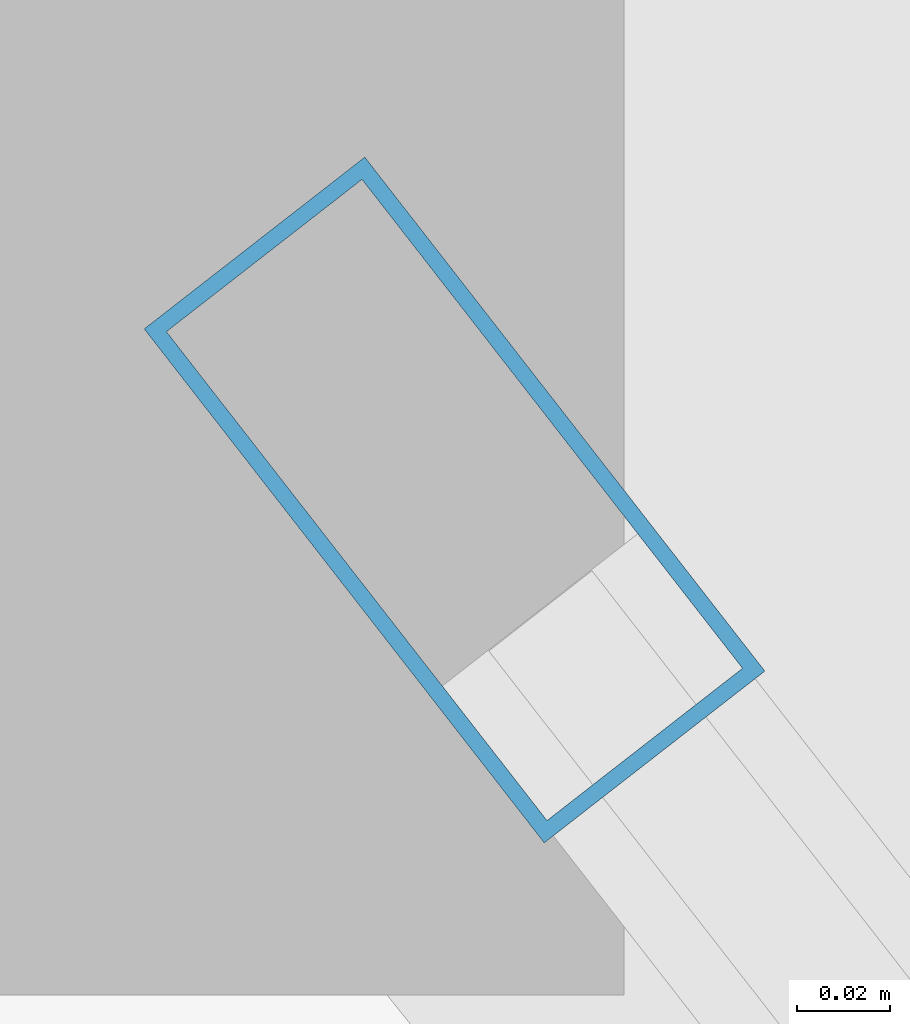
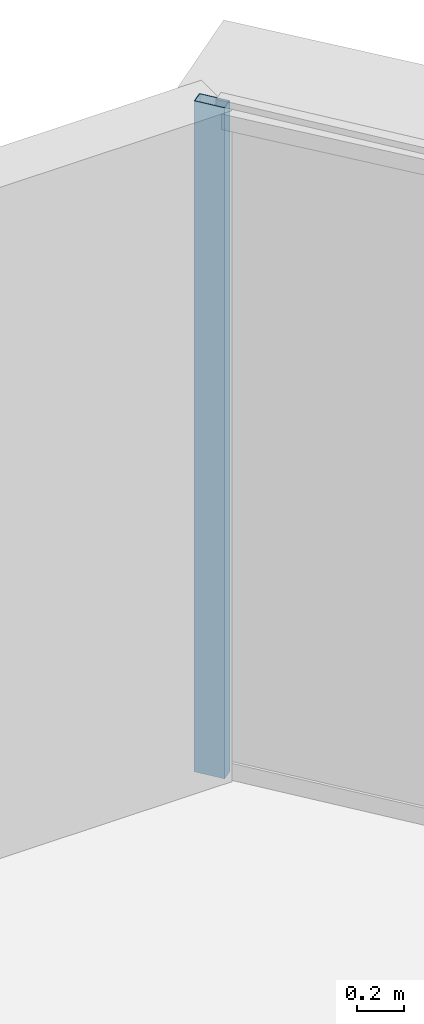
# One storey, part 28 of 40: 1 member, 1 element without a shape of its own.
"""IFC4 building model written with IfcOpenShell, lengths in metres."""

from ifc_helpers import new_model, si_unit, direction, frame, origin, origin_2d, place, context, subcontext, project, spatial, hollow_rectangle, extrude, source, transform, mapped, material, layer, layer_set, material_profile, profile_set, type_object, element, aggregate, save


model = new_model("IFC4")

# Units and contexts
model_context = context("Model", 3, precision=1e-05, world=origin(), true_north=direction((0.0, 1.0)))
body_context = subcontext(model_context, "Body", "Model", "MODEL_VIEW")
ifc_project = project(units=[si_unit("LENGTHUNIT", "METRE"), si_unit("AREAUNIT", "SQUARE_METRE"), si_unit("VOLUMEUNIT", "CUBIC_METRE"), si_unit("PLANEANGLEUNIT", "RADIAN"), si_unit("MASSUNIT", "GRAM", prefix="KILO"), si_unit("THERMODYNAMICTEMPERATUREUNIT", "KELVIN"), si_unit("POWERUNIT", "WATT")], contexts=[model_context])

# Site, building, storey
site_placement = place(None, origin())
site = spatial("IfcSite", under=ifc_project, at=site_placement, CompositionType="ELEMENT")
building_placement = place(site_placement, origin())
building = spatial("IfcBuilding", under=site, at=building_placement, Name="Yunzhuo Pagoda Commons", CompositionType="ELEMENT")
storey_placement = place(building_placement, frame((0.0, 0.0, 292.47998046875)))
storey = spatial("IfcBuildingStorey", under=building, at=storey_placement, Name="L73", CompositionType="ELEMENT", Elevation=292.47998046875)

# Curtain wall, member
ifc_material = material(Name="Anodized aluminium 6063-T6", Category="aluminium")
ifc_layer = layer(ifc_material, 0.139892578125)
ifc_layer_set = layer_set([ifc_layer], Name="Anodized aluminium 6063-T6")
curtain_wall_type = type_object("IfcCurtainWallType", Name="CW-HI High-Zone Ribbon Curtain Wall", PredefinedType="NOTDEFINED", material=ifc_layer_set)
curtain_wall_placement = place(storey_placement, origin())
curtain_wall = element("IfcCurtainWall", 1, at=curtain_wall_placement, inside=storey, type_object=curtain_wall_type, Name="L73 curtain wall CW-L73-F2B5", PredefinedType="NOTDEFINED")
ifc_material_profile = material_profile(ifc_material, hollow_rectangle(XDim=0.06005859375, YDim=0.139892578125, WallThickness=0.00341796875, at=origin_2d()), Name="Anodized aluminium 6063-T6")
ifc_profile_set = profile_set([ifc_material_profile], Name="Anodized aluminium 6063-T6")
member_type = type_object("IfcMemberType", Name="CW-HI-M Mullion RHS 140x60x3.5", PredefinedType="MULLION", material=ifc_profile_set)
shared_shape = source(origin(), body_context, "Body", "SweptSolid", [
    extrude(hollow_rectangle(XDim=0.06005859375, YDim=0.139892578125, WallThickness=0.00341796875, at=origin_2d()), origin(), (0.0, 0.0, 1.0), 3.4697265625),
])
member_placement = place(storey_placement, frame((51.49853515625, 75.7666015625, 0.000244140625), z_axis=(0.0, 0.0, 1.0), x_axis=(-0.789102923127, -0.614261000482, 0.0)))
member = element("IfcMember", 2, at=member_placement, type_object=member_type, Name="CW mullion 2", PredefinedType="MULLION", context=body_context, shape_type="MappedRepresentation", body=[
    mapped(shared_shape, transform((0.0, 0.0, 0.0), scale=1.0)),
])
aggregate(curtain_wall, [member])

save(model, "model.ifc")
